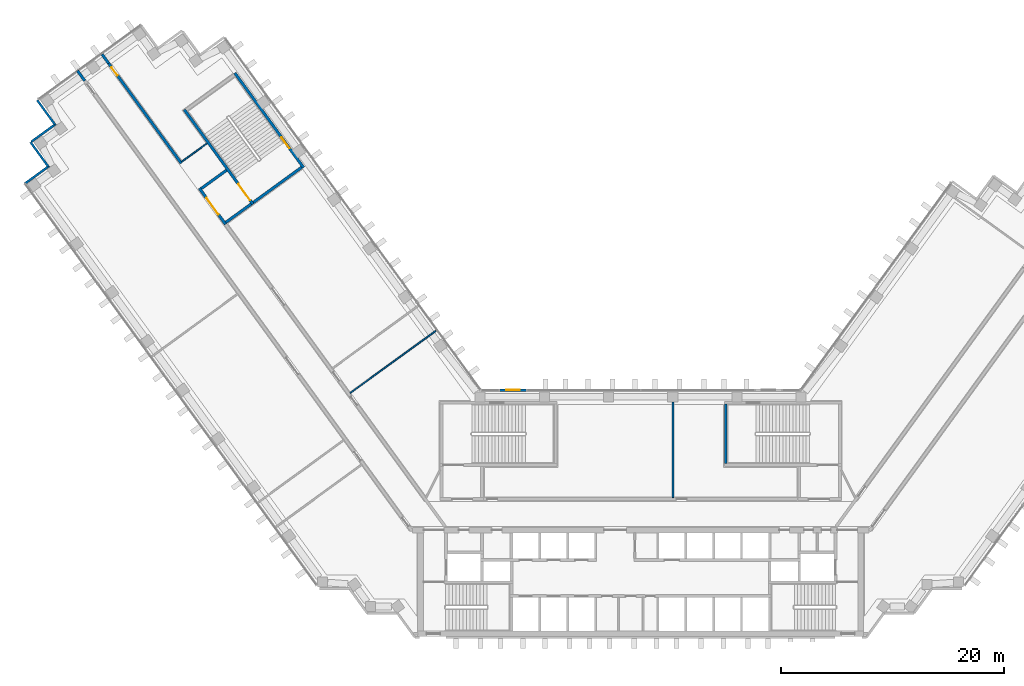
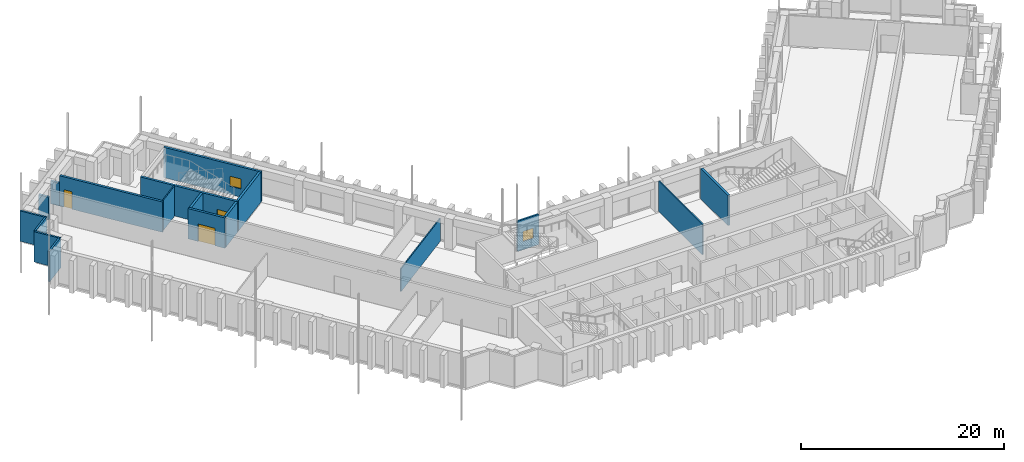
# One storey, part 11 of 16: 18 walls, 3 doors, 2 windows, 5 openings.
"""IFC4 building model written with IfcOpenShell, lengths in metres."""

from ifc_helpers import new_model, si_unit, direction, frame, frame_2d, origin, place, context, subcontext, project, spatial, rectangle, extrude, material, layer, layer_set, type_object, element, fill, save


model = new_model("IFC4")

# Units and contexts
model_context = context("Model", 3, precision=1e-05, world=origin(), true_north=direction((0.0, 1.0)))
body_context = subcontext(model_context, "Body", "Model", "MODEL_VIEW")
ifc_project = project(units=[si_unit("LENGTHUNIT", "METRE"), si_unit("AREAUNIT", "SQUARE_METRE"), si_unit("VOLUMEUNIT", "CUBIC_METRE"), si_unit("PLANEANGLEUNIT", "RADIAN"), si_unit("MASSUNIT", "GRAM", prefix="KILO")], contexts=[model_context])

# Site, building, storey
site_placement = place(None, origin())
site = spatial("IfcSite", under=ifc_project, at=site_placement, CompositionType="ELEMENT")
building_placement = place(site_placement, origin())
building = spatial("IfcBuilding", under=site, at=building_placement, Name="Quipu Civic Tower", CompositionType="ELEMENT")
storey_placement = place(building_placement, frame((0.0, 0.0, 89.0)))
storey = spatial("IfcBuildingStorey", under=building, at=storey_placement, Name="L20", CompositionType="ELEMENT", Elevation=89.0)

# Walls
ifc_material_1 = material(Name="Double gypsum plasterboard with mineral wool")
ifc_layer_1 = layer(ifc_material_1, 0.14990234375)
ifc_layer_set_1 = layer_set([ifc_layer_1], Name="Double gypsum plasterboard with mineral wool")
wall_type_1 = type_object("IfcWallType", Name="Acoustic partition 150 plasterboard", PredefinedType="PARTITIONING", material=ifc_layer_set_1)
wall_1_placement = place(storey_placement, frame((2.89892578125, 10.044921875, 0.0), z_axis=(0.0, 0.0, 1.0), x_axis=(0.0, -1.0, 0.0)))
element("IfcWall", 1, at=wall_1_placement, inside=storey, type_object=wall_type_1, Name="Partition P01", PredefinedType="PARTITIONING", context=body_context, shape_type="SweptSolid", body=[
    extrude(rectangle(XDim=8.594970703125, YDim=0.14990234375, at=frame_2d((4.29736328125, 0.0))), origin(), (0.0, 0.0, 1.0), 3.64990234375),
])
ifc_material_2 = material(Name="Concrete C70/85", Category="concrete")
ifc_layer_2 = layer(ifc_material_2, 0.25)
ifc_layer_set_2 = layer_set([ifc_layer_2], Name="Concrete C70/85")
wall_type_2 = type_object("IfcWallType", Name="Core wall 250", PredefinedType="SHEAR", material=ifc_layer_set_2)
wall_2_placement = place(storey_placement, frame((7.625, 4.5, 0.0), z_axis=(0.0, 0.0, 1.0), x_axis=(0.0, 1.0, 0.0)))
element("IfcWall", 2, at=wall_2_placement, inside=storey, type_object=wall_type_2, Name="Core wall", PredefinedType="SHEAR", context=body_context, shape_type="SweptSolid", body=[
    extrude(rectangle(XDim=5.35009765625, YDim=0.25, at=frame_2d((2.675048828125, 0.0))), origin(), (0.0, 0.0, 1.0), 3.64990234375),
])

# Wall, opening, window
wall_3_placement = place(storey_placement, frame((-30.239501953125, 31.06396484375, 0.0), z_axis=(0.0, 0.0, 1.0), x_axis=(-0.587795589702, 0.809009483706, 0.0)))
wall_3 = element("IfcWall", 3, at=wall_3_placement, inside=storey, type_object=wall_type_2, Name="Core wall", PredefinedType="SHEAR", context=body_context, shape_type="SweptSolid", body=[
    extrude(rectangle(XDim=10.5, YDim=0.25, at=frame_2d((5.25, 0.0))), origin(), (0.0, 0.0, 1.0), 3.64990234375),
])
opening_1_placement = place(wall_3_placement, frame((2.14990234375, 0.0, 1.0)))
opening_1 = element("IfcOpeningElement", 4, at=opening_1_placement, cuts=wall_3, Name="Opening SV-6", PredefinedType="OPENING", context=body_context, shape_type="SweptSolid", body=[
    extrude(rectangle(XDim=1.199951171875, YDim=1.199951171875, at=frame_2d((0.60009765625, 0.60009765625))), frame((0.0, 0.135009765625, 0.0), z_axis=(0.0, -1.0, 0.0), x_axis=(1.0, 0.0, 0.0)), (0.0, 0.0, 1.0), 0.27001953125),
])
ifc_material_3 = material(Name="Aluminium louvre", Category="aluminium")
window_type_1 = type_object("IfcWindowType", Name="Stair ventilation louvre 1200 x 1200", PartitioningType="SINGLE_PANEL", PredefinedType="WINDOW", material=ifc_material_3)
window_1_placement = place(opening_1_placement, origin())
window_1 = element("IfcWindow", 5, at=window_1_placement, inside=storey, type_object=window_type_1, Name="Stair ventilation opening", OverallHeight=1.199951171875, OverallWidth=1.199951171875, PartitioningType="SINGLE_PANEL", PredefinedType="WINDOW", context=body_context, shape_type="SweptSolid", body=[
    extrude(rectangle(XDim=1.199951171875, YDim=1.199951171875, at=frame_2d((0.60009765625, 0.60009765625))), frame((0.0, 0.030029296875, 0.0), z_axis=(0.0, -1.0, 0.0), x_axis=(1.0, 0.0, 0.0)), (0.0, 0.0, 1.0), 0.06005859375),
])
fill(opening_1, window_1)

# Wall
wall_4_placement = place(storey_placement, frame((-30.414306640625, 31.091796875, 0.0), z_axis=(0.0, 0.0, 1.0), x_axis=(-0.8089984606, -0.587810760999, 0.0)))
element("IfcWall", 6, at=wall_4_placement, inside=storey, type_object=wall_type_2, Name="Core wall", PredefinedType="SHEAR", context=body_context, shape_type="SweptSolid", body=[
    extrude(rectangle(XDim=5.35009765625, YDim=0.25, at=frame_2d((2.675048828125, 0.0))), origin(), (0.0, 0.0, 1.0), 3.64990234375),
])

# Wall, opening, door
wall_5_placement = place(storey_placement, frame((-40.94189453125, 36.26708984375, 0.0), z_axis=(0.0, 0.0, 1.0), x_axis=(0.587795589702, -0.809009483706, 0.0)))
wall_5 = element("IfcWall", 7, at=wall_5_placement, inside=storey, type_object=wall_type_2, Name="Core wall", PredefinedType="SHEAR", context=body_context, shape_type="SweptSolid", body=[
    extrude(rectangle(XDim=10.5, YDim=0.25, at=frame_2d((5.25, 0.0))), origin(), (0.0, 0.0, 1.0), 3.64990234375),
])
opening_2_placement = place(wall_5_placement, frame((8.25, 0.0, 0.0)))
opening_2 = element("IfcOpeningElement", 8, at=opening_2_placement, cuts=wall_5, Name="Opening CD-19", PredefinedType="OPENING", context=body_context, shape_type="SweptSolid", body=[
    extrude(rectangle(XDim=1.800048828125, YDim=2.10009765625, at=frame_2d((0.89990234375, 1.050048828125))), frame((0.0, 0.135009765625, 0.0), z_axis=(0.0, -1.0, 0.0), x_axis=(1.0, 0.0, 0.0)), (0.0, 0.0, 1.0), 0.27001953125),
])
ifc_material_4 = material(Name="Fire rated steel door", Category="steel")
door_type_1 = type_object("IfcDoorType", Name="Fire door FD90 double 1800 x 2100", OperationType="NOTDEFINED", PredefinedType="DOOR", material=ifc_material_4)
door_1_placement = place(opening_2_placement, origin())
door_1 = element("IfcDoor", 9, at=door_1_placement, inside=storey, type_object=door_type_1, Name="Door", OperationType="DOUBLE_DOOR_SINGLE_SWING", OverallHeight=2.10009765625, OverallWidth=1.800048828125, PredefinedType="DOOR", context=body_context, shape_type="SweptSolid", body=[
    extrude(rectangle(XDim=1.800048828125, YDim=2.10009765625, at=frame_2d((0.89990234375, 1.050048828125))), frame((0.0, 0.02490234375, 0.0), z_axis=(0.0, -1.0, 0.0), x_axis=(1.0, 0.0, 0.0)), (0.0, 0.0, 1.0), 0.050048828125),
])
fill(opening_2, door_1)

# Walls
for number, where, z_axis, x_axis, name in (
    (10, (-34.944580078125, 27.800048828125, 0.0), (0.0, 0.0, 1.0), (-0.809041377956, -0.587751689708, 0.0), "Core wall"),
    (11, (-37.14892578125, 30.833984375, 0.0), (0.0, 0.0, 1.0), (-0.808969789945, -0.58785021813, 0.0), "Core wall"),
):
    element("IfcWall", number, at=place(storey_placement, frame(where, z_axis=z_axis, x_axis=x_axis)), inside=storey, type_object=wall_type_2, Name=name, PredefinedType="SHEAR", context=body_context, shape_type="SweptSolid", body=[
        extrude(rectangle(XDim=2.800048828125, YDim=0.25, at=frame_2d((1.39990234375, 0.0))), origin(), (0.0, 0.0, 1.0), 3.64990234375),
    ])

# Wall, opening, door
wall_6_placement = place(storey_placement, frame((-39.588623046875, 29.2158203125, 0.0), z_axis=(0.0, 0.0, 1.0), x_axis=(0.587772420479, -0.809026317077, 0.0)))
wall_6 = element("IfcWall", 12, at=wall_6_placement, inside=storey, type_object=wall_type_2, Name="Core wall", PredefinedType="SHEAR", context=body_context, shape_type="SweptSolid", body=[
    extrude(rectangle(XDim=4.0, YDim=0.25, at=frame_2d((2.0, 0.0))), origin(), (0.0, 0.0, 1.0), 3.64990234375),
])
opening_3_placement = place(wall_6_placement, frame((1.10009765625, 0.0, 0.0)))
opening_3 = element("IfcOpeningElement", 13, at=opening_3_placement, cuts=wall_6, Name="Opening CD-20", PredefinedType="OPENING", context=body_context, shape_type="SweptSolid", body=[
    extrude(rectangle(XDim=1.800048828125, YDim=2.10009765625, at=frame_2d((0.89990234375, 1.050048828125))), frame((0.0, 0.135009765625, 0.0), z_axis=(0.0, -1.0, 0.0), x_axis=(1.0, 0.0, 0.0)), (0.0, 0.0, 1.0), 0.27001953125),
])
door_2_placement = place(opening_3_placement, origin())
door_2 = element("IfcDoor", 14, at=door_2_placement, inside=storey, type_object=door_type_1, Name="Lobby door", OperationType="DOUBLE_DOOR_SINGLE_SWING", OverallHeight=2.10009765625, OverallWidth=1.800048828125, PredefinedType="DOOR", context=body_context, shape_type="SweptSolid", body=[
    extrude(rectangle(XDim=1.800048828125, YDim=2.10009765625, at=frame_2d((0.89990234375, 1.050048828125))), frame((0.0, 0.02490234375, 0.0), z_axis=(0.0, -1.0, 0.0), x_axis=(1.0, 0.0, 0.0)), (0.0, 0.0, 1.0), 0.050048828125),
])
fill(opening_3, door_2)

ifc_material_5 = material(Name="Concrete C50/60", Category="concrete")
ifc_layer_3 = layer(ifc_material_5, 0.25)
ifc_layer_set_3 = layer_set([ifc_layer_3], Name="Concrete C50/60")
wall_type_3 = type_object("IfcWallType", Name="Corridor wall 250 concrete", PredefinedType="SOLIDWALL", material=ifc_layer_set_3)
wall_7_placement = place(storey_placement, frame((-47.724853515625, 40.414306640625, 0.0), z_axis=(0.0, 0.0, 1.0), x_axis=(0.587773291021, -0.809025684612, 0.0)))
wall_7 = element("IfcWall", 15, at=wall_7_placement, inside=storey, type_object=wall_type_3, Name="Corridor wall C02", PredefinedType="SOLIDWALL", context=body_context, shape_type="SweptSolid", body=[
    extrude(rectangle(XDim=11.07861328125, YDim=0.25, at=frame_2d((5.539306640625, 0.0))), origin(), (0.0, 0.0, 1.0), 3.64990234375),
])
opening_4_placement = place(wall_7_placement, frame((0.442138671875, 0.0, 0.0)))
opening_4 = element("IfcOpeningElement", 16, at=opening_4_placement, cuts=wall_7, Name="Opening D008", PredefinedType="OPENING", context=body_context, shape_type="SweptSolid", body=[
    extrude(rectangle(XDim=0.89990234375, YDim=2.10009765625, at=frame_2d((0.449951171875, 1.050048828125))), frame((0.0, 0.135009765625, 0.0), z_axis=(0.0, -1.0, 0.0), x_axis=(1.0, 0.0, 0.0)), (0.0, 0.0, 1.0), 0.27001953125),
])
ifc_material_6 = material(Name="Fire rated timber door set with metal frame", Category="wood")
door_type_2 = type_object("IfcDoorType", Name="Single door 900 x 2100 FD60", OperationType="NOTDEFINED", PredefinedType="DOOR", material=ifc_material_6)
door_3_placement = place(opening_4_placement, origin())
door_3 = element("IfcDoor", 17, at=door_3_placement, inside=storey, type_object=door_type_2, Name="Door D008", OperationType="SINGLE_SWING_LEFT", OverallHeight=2.10009765625, OverallWidth=0.89990234375, PredefinedType="DOOR", context=body_context, shape_type="SweptSolid", body=[
    extrude(rectangle(XDim=0.89990234375, YDim=2.10009765625, at=frame_2d((0.449951171875, 1.050048828125))), frame((0.0, 0.02490234375, 0.0), z_axis=(0.0, -1.0, 0.0), x_axis=(1.0, 0.0, 0.0)), (0.0, 0.0, 1.0), 0.050048828125),
])
fill(opening_4, door_3)

# Walls
wall_8_placement = place(storey_placement, frame((-49.86865234375, 38.8564453125, 0.0), z_axis=(0.0, 0.0, 1.0), x_axis=(-0.587674273289, 0.809097613712, 0.0)))
element("IfcWall", 18, at=wall_8_placement, inside=storey, type_object=wall_type_3, Name="Corridor wall C01", PredefinedType="SOLIDWALL", context=body_context, shape_type="SweptSolid", body=[
    extrude(rectangle(XDim=1.109130859375, YDim=0.25, at=frame_2d((0.5546875, 0.0))), origin(), (0.0, 0.0, 1.0), 2.75),
])
wall_9_placement = place(storey_placement, frame((-47.724853515625, 40.414306640625, 0.0), z_axis=(0.0, 0.0, 1.0), x_axis=(-0.587840411638, 0.808976915892, 0.0)))
element("IfcWall", 19, at=wall_9_placement, inside=storey, type_object=wall_type_3, Name="Corridor wall C02", PredefinedType="SOLIDWALL", context=body_context, shape_type="SweptSolid", body=[
    extrude(rectangle(XDim=1.008056640625, YDim=0.25, at=frame_2d((0.50390625, 0.0))), origin(), (0.0, 0.0, 1.0), 2.75),
])
ifc_material_7 = material(Name="Gypsum plasterboard on light gauge framing")
ifc_layer_4 = layer(ifc_material_7, 0.1201171875)
ifc_layer_set_4 = layer_set([ifc_layer_4], Name="Gypsum plasterboard on light gauge framing")
wall_type_4 = type_object("IfcWallType", Name="Partition 120 plasterboard", PredefinedType="PARTITIONING", material=ifc_layer_set_4)
wall_10_placement = place(storey_placement, frame((-18.350830078125, 16.444580078125, 0.0), z_axis=(0.0, 0.0, 1.0), x_axis=(-0.809052142986, -0.587736871338, 0.0)))
element("IfcWall", 20, at=wall_10_placement, inside=storey, type_object=wall_type_4, Name="Partition P02", PredefinedType="PARTITIONING", context=body_context, shape_type="SweptSolid", body=[
    extrude(rectangle(XDim=9.5498046875, YDim=0.1201171875, at=frame_2d((4.77490234375, 0.0))), origin(), (0.0, 0.0, 1.0), 2.75),
])
wall_11_placement = place(storey_placement, frame((-41.166015625, 31.59912109375, 0.0), z_axis=(0.0, 0.0, 1.0), x_axis=(0.809090262332, 0.587684394381, 0.0)))
element("IfcWall", 21, at=wall_11_placement, inside=storey, type_object=wall_type_4, Name="Partition P09", PredefinedType="PARTITIONING", context=body_context, shape_type="SweptSolid", body=[
    extrude(rectangle(XDim=2.80078125, YDim=0.1201171875, at=frame_2d((1.400390625, 0.0))), origin(), (0.0, 0.0, 1.0), 3.64990234375),
])

# Wall, opening, window
ifc_material_8 = material(Name="Precast concrete C40/50", Category="concrete")
wall_type_5 = type_object("IfcWallType", Name="Precast cladding wall", PredefinedType="SOLIDWALL", material=ifc_material_8)
wall_12_placement = place(storey_placement, frame((-10.263427734375, 11.10009765625, 0.0), z_axis=(0.0, 0.0, 1.0), x_axis=(-1.0, 0.0, 0.0)))
wall_12 = element("IfcWall", 22, at=wall_12_placement, inside=storey, type_object=wall_type_5, Name="Vent surround SF-L19-1", PredefinedType="SOLIDWALL", context=body_context, shape_type="SweptSolid", body=[
    extrude(rectangle(XDim=2.3916015625, YDim=0.199951171875, at=frame_2d((1.19580078125, 0.0))), origin(), (0.0, 0.0, 1.0), 3.64990234375),
])
opening_5_placement = place(wall_12_placement, frame((0.595703125, 0.0, 1.0)))
opening_5 = element("IfcOpeningElement", 23, at=opening_5_placement, cuts=wall_12, Name="Opening SF-L19-1", PredefinedType="OPENING", context=body_context, shape_type="SweptSolid", body=[
    extrude(rectangle(XDim=1.199951171875, YDim=1.199951171875, at=frame_2d((0.60009765625, 0.60009765625))), frame((0.0, 0.10986328125, 0.0), z_axis=(0.0, -1.0, 0.0), x_axis=(1.0, 0.0, 0.0)), (0.0, 0.0, 1.0), 0.219970703125),
])
ifc_material_9 = material(Name="Anodised aluminium louvre", Category="aluminium")
window_type_2 = type_object("IfcWindowType", Name="Stair vent louvre window P3", PartitioningType="SINGLE_PANEL", PredefinedType="WINDOW", material=ifc_material_9)
window_2_placement = place(opening_5_placement, origin())
window_2 = element("IfcWindow", 24, at=window_2_placement, inside=storey, type_object=window_type_2, Name="Stair vent louvre SF-L19-1", OverallHeight=1.199951171875, OverallWidth=1.199951171875, PartitioningType="SINGLE_PANEL", PredefinedType="WINDOW", context=body_context, shape_type="SweptSolid", body=[
    extrude(rectangle(XDim=1.199951171875, YDim=1.199951171875, at=frame_2d((0.60009765625, 0.60009765625))), frame((0.0, 0.030029296875, 0.0), z_axis=(0.0, -1.0, 0.0), x_axis=(1.0, 0.0, 0.0)), (0.0, 0.0, 1.0), 0.06005859375),
])
fill(opening_5, window_2)

# Walls
for number, where, z_axis, x_axis, name in (
    (25, (-54.140380859375, 37.12255859375, 0.0), (0.0, 0.0, 1.0), (0.587822180636, -0.808990163075, 0.0), "Precast cladding wall L20 P19"),
    (26, (-52.46533203125, 34.9873046875, 0.0), (0.0, 0.0, 1.0), (-0.809033161865, -0.587762999008, 0.0), "Precast cladding wall L20 P20"),
):
    element("IfcWall", number, at=place(storey_placement, frame(where, z_axis=z_axis, x_axis=x_axis)), inside=storey, type_object=wall_type_5, Name=name, PredefinedType="SOLIDWALL", context=body_context, shape_type="SweptSolid", body=[
        extrude(rectangle(XDim=2.699951171875, YDim=0.199951171875, at=frame_2d((1.35009765625, 0.0))), origin(), (0.0, 0.0, 1.0), 3.64990234375),
    ])
wall_13_placement = place(storey_placement, frame((-54.73779296875, 33.351318359375, 0.0), z_axis=(0.0, 0.0, 1.0), x_axis=(0.587779184282, -0.809021403008, 0.0)))
element("IfcWall", 27, at=wall_13_placement, inside=storey, type_object=wall_type_5, Name="Precast cladding wall L20 P21", PredefinedType="SOLIDWALL", context=body_context, shape_type="SweptSolid", body=[
    extrude(rectangle(XDim=2.7001953125, YDim=0.199951171875, at=frame_2d((1.35009765625, 0.0))), origin(), (0.0, 0.0, 1.0), 3.64990234375),
])
wall_14_placement = place(storey_placement, frame((-53.062744140625, 31.2158203125, 0.0), z_axis=(0.0, 0.0, 1.0), x_axis=(-0.809033161865, -0.587762999008, 0.0)))
element("IfcWall", 28, at=wall_14_placement, inside=storey, type_object=wall_type_5, Name="Precast cladding wall L20 P22", PredefinedType="SOLIDWALL", context=body_context, shape_type="SweptSolid", body=[
    extrude(rectangle(XDim=2.699951171875, YDim=0.199951171875, at=frame_2d((1.35009765625, 0.0))), origin(), (0.0, 0.0, 1.0), 3.64990234375),
])

save(model, "model.ifc")
